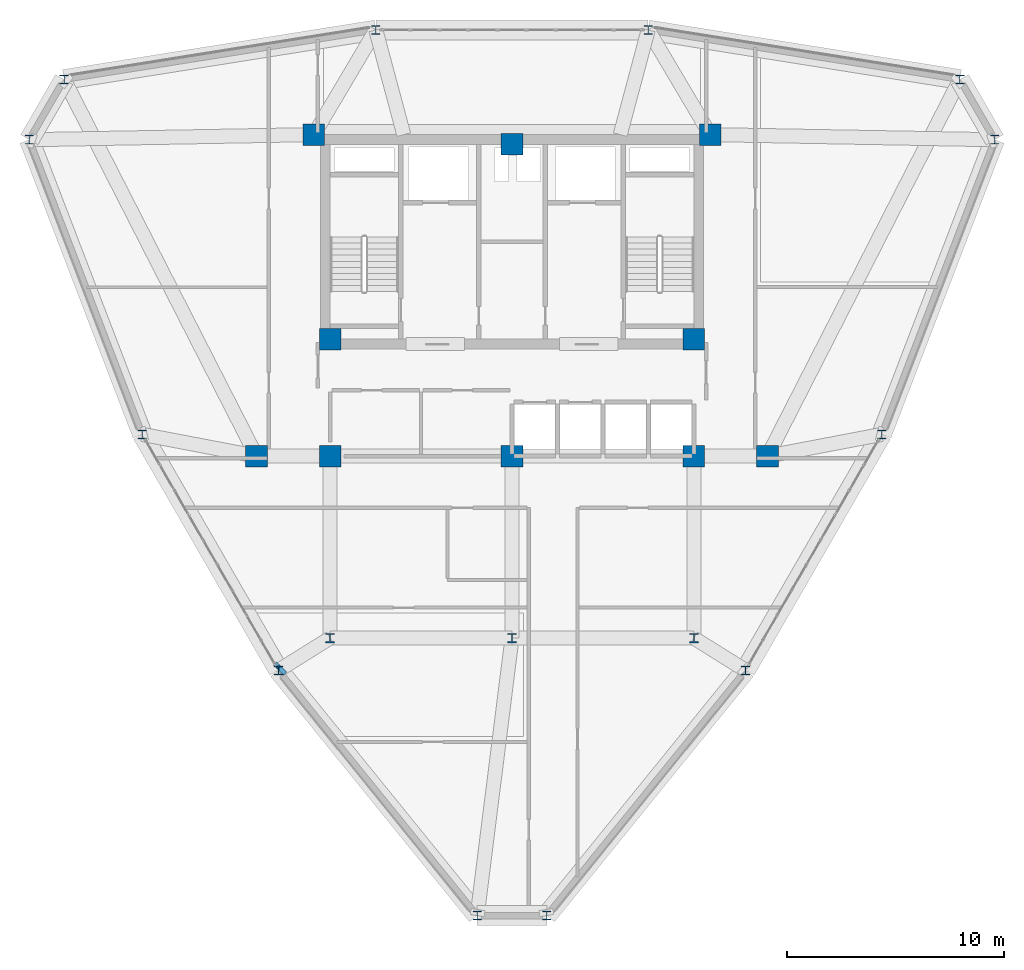
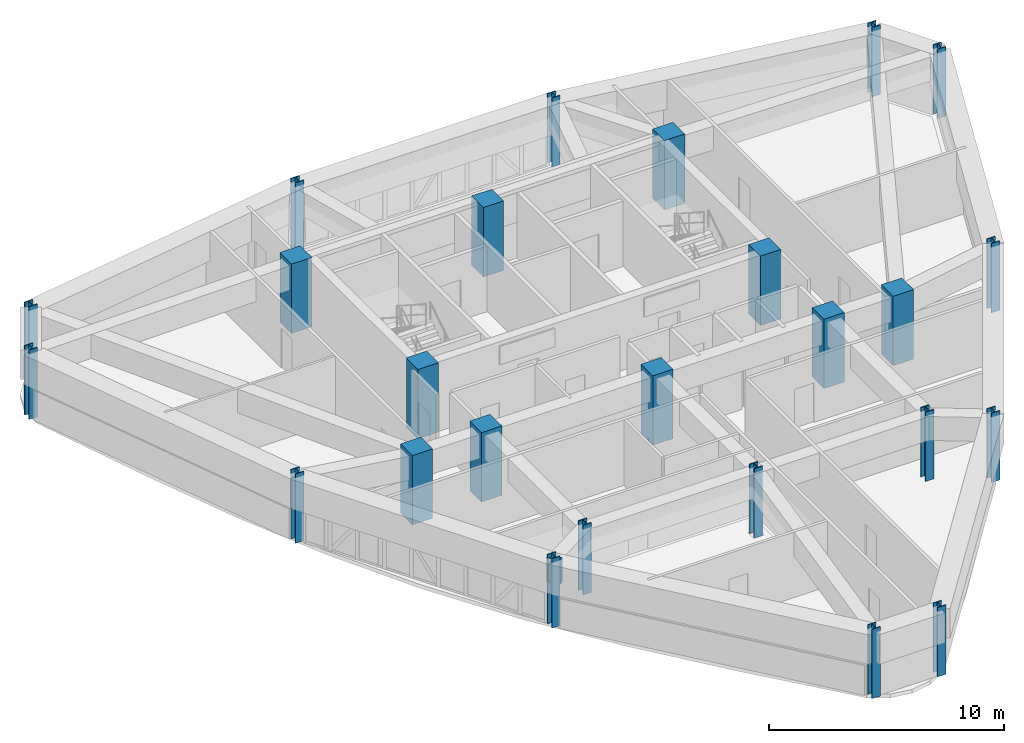
# One storey, part 1 of 14: 25 columns, 1 beam.
"""IFC4 building model written with IfcOpenShell, lengths in metres."""

from ifc_helpers import new_model, si_unit, derived_unit, direction, frame, origin, origin_2d, place, context, subcontext, project, spatial, rectangle, i_section, extrude, source, transform, mapped, material, material_profile, profile_set, type_object, element, save


model = new_model("IFC4")

# Units and contexts
model_context = context("Model", 3, precision=1e-05, world=origin(), true_north=direction((0.0, 1.0)))
body_context = subcontext(model_context, "Body", "Model", "MODEL_VIEW")
ifc_project = project(units=[si_unit("LENGTHUNIT", "METRE"), si_unit("AREAUNIT", "SQUARE_METRE"), si_unit("VOLUMEUNIT", "CUBIC_METRE"), si_unit("PLANEANGLEUNIT", "RADIAN"), si_unit("MASSUNIT", "GRAM", prefix="KILO"), derived_unit("THERMALTRANSMITTANCEUNIT", [(si_unit("POWERUNIT", "WATT"), 1), (si_unit("LENGTHUNIT", "METRE"), -2), (si_unit("THERMODYNAMICTEMPERATUREUNIT", "KELVIN"), -1)])], contexts=[model_context])

# Site, building, storey
site_placement = place(None, origin())
site = spatial("IfcSite", under=ifc_project, at=site_placement, CompositionType="ELEMENT")
building_placement = place(site_placement, origin())
building = spatial("IfcBuilding", under=site, at=building_placement, Name="Korsvarv Bourse and Concert Hall", CompositionType="ELEMENT")
storey_placement = place(building_placement, frame((0.0, 0.0, 186.60009765625)))
storey = spatial("IfcBuildingStorey", under=building, at=storey_placement, Name="L48", CompositionType="ELEMENT", Elevation=186.60009765625)

# Columns
ifc_material_1 = material(Name="Steel S355", Category="steel")
ifc_material_profile_1 = material_profile(ifc_material_1, i_section(OverallWidth=0.412109375, OverallDepth=0.43505859375, WebThickness=0.032958984375, FlangeThickness=0.052978515625, FilletRadius=0.014892578125, at=origin_2d()), Name="HD 400x463")
ifc_profile_set_1 = profile_set([ifc_material_profile_1], Name="Steel S355")
column_type_1 = type_object("IfcColumnType", Name="COL-HD463", PredefinedType="COLUMN", material=ifc_profile_set_1)
shared_shape_1 = source(origin(), body_context, "Body", "SweptSolid", [
    extrude(i_section(OverallWidth=0.412109375, OverallDepth=0.43505859375, WebThickness=0.032958984375, FlangeThickness=0.052978515625, FilletRadius=0.014892578125, at=origin_2d()), origin(), (0.0, 0.0, 1.0), 3.599853515625),
])
for number, where, z_axis, x_axis, name in (
    (1, (27.60009765625, 24.0, 0.0), (0.0, 0.0, 1.0), (1.0, 0.0, 0.0), "L48 column C-09"),
    (2, (44.39990234375, 24.0, 0.0), (0.0, 0.0, 1.0), (1.0, 0.0, 0.0), "L48 column C-09"),
    (3, (36.0, 24.0, 0.0), (0.0, 0.0, 1.0), (1.0, 0.0, 0.0), "L48 column C-09"),
):
    element("IfcColumn", number, at=place(storey_placement, frame(where, z_axis=z_axis, x_axis=x_axis)), inside=storey, type_object=column_type_1, Name=name, PredefinedType="COLUMN", context=body_context, shape_type="MappedRepresentation", body=[
        mapped(shared_shape_1, transform((0.0, 0.0, 0.0), scale=1.0)),
    ])
ifc_material_2 = material(Name="Concrete C55/67", Category="concrete")
ifc_material_profile_2 = material_profile(ifc_material_2, rectangle(XDim=1.0, YDim=1.0, at=origin_2d()), Name="RC 1000x1000")
ifc_profile_set_2 = profile_set([ifc_material_profile_2], Name="Concrete C55/67")
column_type_2 = type_object("IfcColumnType", Name="COL-RC1000", PredefinedType="COLUMN", material=ifc_profile_set_2)
shared_shape_2 = source(origin(), body_context, "Body", "SweptSolid", [
    extrude(rectangle(XDim=1.0, YDim=1.0, at=origin_2d()), origin(), (0.0, 0.0, 1.0), 3.599853515625),
])
for number, where, z_axis, x_axis, name in (
    (4, (26.85009765625, 47.25, 0.0), (0.0, 0.0, 1.0), (1.0, 0.0, 0.0), "L48 column C-03"),
    (5, (45.14990234375, 47.25, 0.0), (0.0, 0.0, 1.0), (1.0, 0.0, 0.0), "L48 column C-03"),
    (6, (27.60009765625, 37.800048828125, 0.0), (0.0, 0.0, 1.0), (1.0, 0.0, 0.0), "L48 column C-03"),
    (7, (44.39990234375, 37.800048828125, 0.0), (0.0, 0.0, 1.0), (1.0, 0.0, 0.0), "L48 column C-03"),
    (8, (27.60009765625, 32.39990234375, 0.0), (0.0, 0.0, 1.0), (1.0, 0.0, 0.0), "L48 column C-03"),
    (9, (44.39990234375, 32.39990234375, 0.0), (0.0, 0.0, 1.0), (1.0, 0.0, 0.0), "L48 column C-03"),
    (10, (36.0, 46.800048828125, 0.0), (0.0, 0.0, 1.0), (1.0, 0.0, 0.0), "L48 column C-03"),
    (11, (36.0, 32.39990234375, 0.0), (0.0, 0.0, 1.0), (1.0, 0.0, 0.0), "L48 column C-03"),
    (12, (24.199951171875, 32.39990234375, 0.0), (0.0, 0.0, 1.0), (1.0, 0.0, 0.0), "L48 column C-03"),
    (13, (47.800048828125, 32.39990234375, 0.0), (0.0, 0.0, 1.0), (1.0, 0.0, 0.0), "L48 column C-03"),
):
    element("IfcColumn", number, at=place(storey_placement, frame(where, z_axis=z_axis, x_axis=x_axis)), inside=storey, type_object=column_type_2, Name=name, PredefinedType="COLUMN", context=body_context, shape_type="MappedRepresentation", body=[
        mapped(shared_shape_2, transform((0.0, 0.0, 0.0), scale=1.0)),
    ])
ifc_material_profile_3 = material_profile(ifc_material_1, i_section(OverallWidth=0.406005859375, OverallDepth=0.416015625, WebThickness=0.027099609375, FlangeThickness=0.0439453125, FilletRadius=0.014892578125, at=origin_2d()), Name="HD 400x382")
ifc_profile_set_3 = profile_set([ifc_material_profile_3], Name="Steel S355")
column_type_3 = type_object("IfcColumnType", Name="COL-HD382", PredefinedType="COLUMN", material=ifc_profile_set_3)
shared_shape_3 = source(origin(), body_context, "Body", "SweptSolid", [
    extrude(i_section(OverallWidth=0.406005859375, OverallDepth=0.416015625, WebThickness=0.027099609375, FlangeThickness=0.0439453125, FilletRadius=0.014892578125, at=origin_2d()), origin(), (0.0, 0.0, 1.0), 3.599853515625),
])
for number, where, z_axis, x_axis, name in (
    (14, (58.290283203125, 47.012939453125, 0.0), (0.0, 0.0, 1.0), (1.0, 0.0, 0.0), "L48 column C-10"),
    (15, (56.6826171875, 49.797607421875, 0.0), (0.0, 0.0, 1.0), (1.0, 0.0, 0.0), "L48 column C-10"),
    (16, (42.289306640625, 52.082275390625, 0.0), (0.0, 0.0, 1.0), (1.0, 0.0, 0.0), "L48 column C-10"),
    (17, (29.710693359375, 52.082275390625, 0.0), (0.0, 0.0, 1.0), (1.0, 0.0, 0.0), "L48 column C-10"),
    (18, (15.3173828125, 49.797607421875, 0.0), (0.0, 0.0, 1.0), (1.0, 0.0, 0.0), "L48 column C-10"),
    (19, (13.709716796875, 47.012939453125, 0.0), (0.0, 0.0, 1.0), (1.0, 0.0, 0.0), "L48 column C-10"),
    (20, (18.927490234375, 33.405517578125, 0.0), (0.0, 0.0, 1.0), (1.0, 0.0, 0.0), "L48 column C-10"),
    (21, (25.216796875, 22.51220703125, 0.0), (0.0, 0.0, 1.0), (1.0, 0.0, 0.0), "L48 column C-10"),
    (22, (34.392333984375, 11.189453125, 0.0), (0.0, 0.0, 1.0), (1.0, 0.0, 0.0), "L48 column C-10"),
    (23, (37.607666015625, 11.189453125, 0.0), (0.0, 0.0, 1.0), (1.0, 0.0, 0.0), "L48 column C-10"),
    (24, (46.783203125, 22.51220703125, 0.0), (0.0, 0.0, 1.0), (1.0, 0.0, 0.0), "L48 column C-10"),
    (25, (53.072509765625, 33.405517578125, 0.0), (0.0, 0.0, 1.0), (1.0, 0.0, 0.0), "L48 column C-10"),
):
    element("IfcColumn", number, at=place(storey_placement, frame(where, z_axis=z_axis, x_axis=x_axis)), inside=storey, type_object=column_type_3, Name=name, PredefinedType="COLUMN", context=body_context, shape_type="MappedRepresentation", body=[
        mapped(shared_shape_3, transform((0.0, 0.0, 0.0), scale=1.0)),
    ])

# Beam
ifc_material_3 = material(Name="Concrete C50/60", Category="concrete")
ifc_material_profile_4 = material_profile(ifc_material_3, rectangle(XDim=0.64990234375, YDim=1.239990234375, at=origin_2d()), Name="RC-BM 650x1240")
ifc_profile_set_4 = profile_set([ifc_material_profile_4], Name="Concrete C50/60")
beam_type = type_object("IfcBeamType", Name="BM-TR-SPN", PredefinedType="BEAM", material=ifc_profile_set_4)
shared_shape_4 = source(origin(), body_context, "Body", "SweptSolid", [
    extrude(rectangle(XDim=0.64990234375, YDim=1.239990234375, at=origin_2d()), origin(), (0.0, 0.0, 1.0), 0.2177734375),
])
beam_placement = place(storey_placement, frame((25.216796875, 22.51220703125, 2.77978515625), z_axis=(0.708226504781, 0.705985281664, 0.0), x_axis=(-0.705985281664, 0.708226504781, 0.0)))
element("IfcBeam", 26, at=beam_placement, inside=storey, type_object=beam_type, Name="L48 beam B-TRS", PredefinedType="BEAM", context=body_context, shape_type="MappedRepresentation", body=[
    mapped(shared_shape_4, transform((0.0, 0.0, 0.0), scale=1.0)),
])

save(model, "model.ifc")
